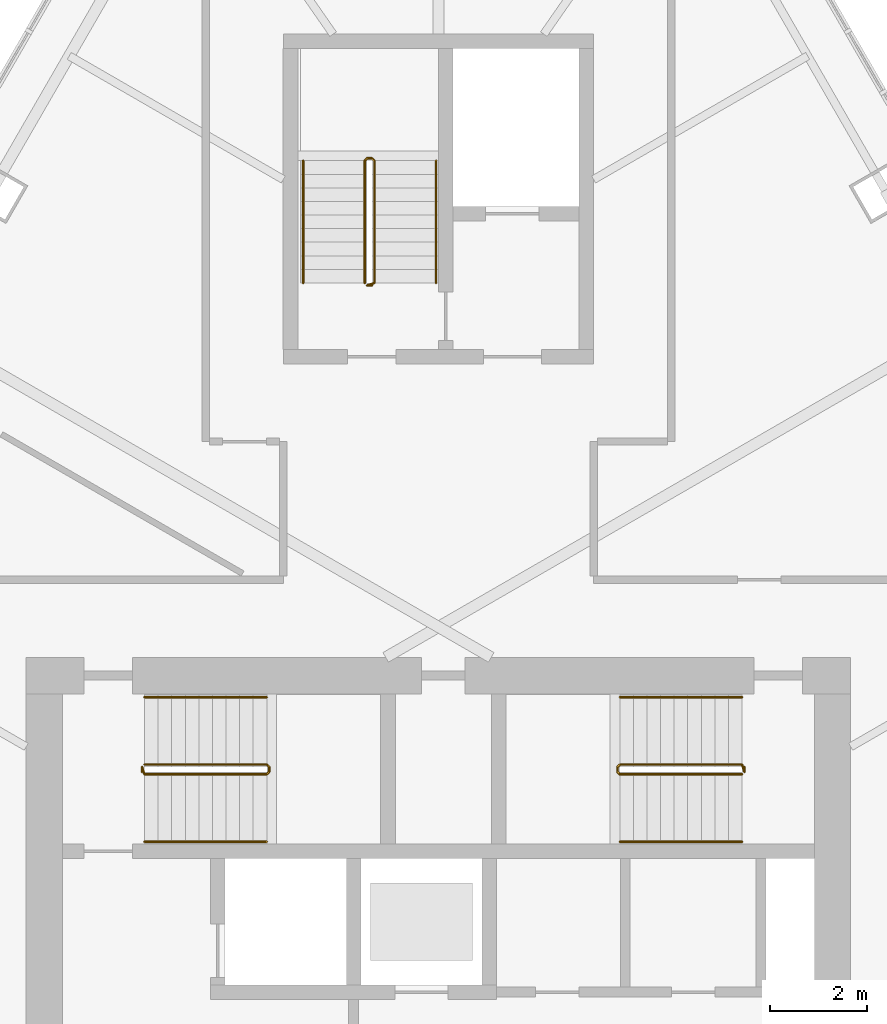
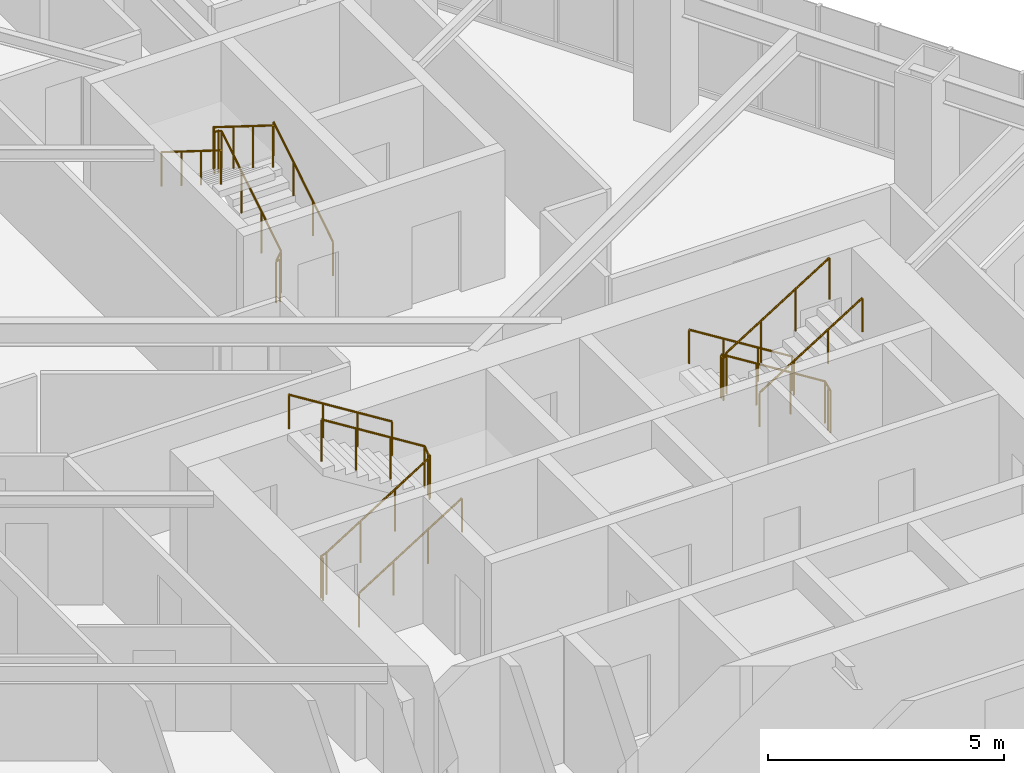
# One storey, part 20 of 21: 9 railings.
"""IFC4 building model written with IfcOpenShell, lengths in metres."""

import ifcopenshell
import ifcopenshell.guid

model = None  # the IFC model being written
_history = None  # IfcOwnerHistory: only IFC2X3 demands one
_inside = {}  # id of a spatial element -> (the spatial element, [elements in it])
_under = {}  # id of a project, library or spatial element -> (it, [spatial elements below it])
_declared = {}  # id of a project -> (the project, [libraries it declares])
_typed = {}  # id of a type object -> (the type object, [elements of that type])
_made_of = {}  # id of a material, layer set ... -> (it, [elements and type objects made of it])


def new_model(schema):
    """Start an empty IFC model of exactly this schema.

    Asked for "IFC4X3", IfcOpenShell would pick the latest addendum, in which some entities
    have other attributes; the version numbers below select the first issue.
    IFC2X3 requires an IfcOwnerHistory on every rooted entity: one is made here for all.
    """
    global model, _history
    if schema == "IFC4X3":
        model = ifcopenshell.file(schema_version=(4, 3, 0, 0))
    else:
        model = ifcopenshell.file(schema=schema)
    _inside.clear()
    _under.clear()
    _declared.clear()
    _typed.clear()
    _made_of.clear()
    _history = None
    if model.schema == "IFC2X3":
        org = make("IfcOrganization", Name="unknown")
        user = make(
            "IfcPersonAndOrganization",
            ThePerson=make("IfcPerson", FamilyName="unknown"),
            TheOrganization=org,
        )
        app = make(
            "IfcApplication",
            ApplicationDeveloper=org,
            Version="unknown",
            ApplicationFullName="unknown",
            ApplicationIdentifier="unknown",
        )
        _history = make(
            "IfcOwnerHistory",
            OwningUser=user,
            OwningApplication=app,
            ChangeAction="ADDED",
            CreationDate=0,
        )
    return model


def make(cls, **values):
    """One entity of the class cls with the attributes given. An attribute that is None is left unset."""
    return model.create_entity(
        cls, **{name: value for name, value in values.items() if value is not None}
    )


def rooted(cls, **values):
    """An entity with a GlobalId (a new one), such as an element, a storey or a relation."""
    return make(cls, GlobalId=ifcopenshell.guid.new(), OwnerHistory=_history, **values)


def si_unit(unit_type, name, prefix=None):
    """IfcSIUnit, for example si_unit("LENGTHUNIT", "METRE", prefix="MILLI")."""
    return make("IfcSIUnit", UnitType=unit_type, Prefix=prefix, Name=name)


def assignment(units):
    """IfcUnitAssignment: the units of a project."""
    return None if units is None else make("IfcUnitAssignment", Units=units)


def point(xyz):
    """IfcCartesianPoint."""
    return None if xyz is None else make("IfcCartesianPoint", Coordinates=xyz)


def direction(xyz):
    """IfcDirection."""
    return None if xyz is None else make("IfcDirection", DirectionRatios=xyz)


def frame(location, z_axis=None, x_axis=None):
    """IfcAxis2Placement3D, a coordinate frame: its origin and axes. An axis left out is left unset."""
    return make(
        "IfcAxis2Placement3D",
        Location=point(location),
        Axis=direction(z_axis),
        RefDirection=direction(x_axis),
    )


def frame_2d(location, x_axis=None):
    """IfcAxis2Placement2D, a coordinate frame in the plane: its origin and x axis."""
    return make(
        "IfcAxis2Placement2D", Location=point(location), RefDirection=direction(x_axis)
    )


def origin():
    """The frame at (0, 0, 0) with its axes left unset."""
    return frame((0.0, 0.0, 0.0))


def origin_2d():
    """The frame at (0, 0) in the plane with its x axis left unset."""
    return frame_2d((0.0, 0.0))


def place(relative_to, where):
    """IfcLocalPlacement: puts the frame where relative to a parent placement (None: the world)."""
    return make(
        "IfcLocalPlacement", PlacementRelTo=relative_to, RelativePlacement=where
    )


def context(
    kind, dimensions, precision=None, world=None, true_north=None, identifier=None
):
    """IfcGeometricRepresentationContext, for example the 3D "Model" context."""
    return make(
        "IfcGeometricRepresentationContext",
        ContextIdentifier=identifier,
        ContextType=kind,
        CoordinateSpaceDimension=dimensions,
        Precision=precision,
        WorldCoordinateSystem=world,
        TrueNorth=true_north,
    )


def subcontext(parent, identifier, kind, view, scale=None):
    """IfcGeometricRepresentationSubContext, for example "Body" below "Model"."""
    return make(
        "IfcGeometricRepresentationSubContext",
        ContextIdentifier=identifier,
        ContextType=kind,
        ParentContext=parent,
        TargetScale=scale,
        TargetView=view,
    )


def project(units=None, contexts=None):
    """IfcProject with its units and contexts."""
    return rooted(
        "IfcProject",
        Name="project",
        RepresentationContexts=contexts,
        UnitsInContext=assignment(units),
    )


def spatial(cls, under=None, at=None, **own):
    """A site, building, storey or space (cls), placed at a placement, below another one or the project."""
    s = rooted(cls, ObjectPlacement=at, **own)
    if under is not None:
        _under.setdefault(under.id(), (under, []))[1].append(s)
    return s


def profile(cls, at=None, kind="AREA", **sizes):
    """A parametric profile (cls). Its sizes go by their IFC names, for example OverallWidth=200.0."""
    return make(cls, ProfileType=kind, Position=at, **sizes)


def circle(**sizes):
    """IfcCircleProfileDef."""
    return profile("IfcCircleProfileDef", **sizes)


def extrude(swept, where, along, depth):
    """IfcExtrudedAreaSolid: the profile swept, set in the frame where, extruded along a direction by depth."""
    return make(
        "IfcExtrudedAreaSolid",
        SweptArea=swept,
        Position=where,
        ExtrudedDirection=direction(along),
        Depth=depth,
    )


def shape(context_of_items, identifier, shape_type, items):
    """IfcShapeRepresentation: the items that make up one representation, for example the "Body"."""
    return make(
        "IfcShapeRepresentation",
        ContextOfItems=context_of_items,
        RepresentationIdentifier=identifier,
        RepresentationType=shape_type,
        Items=items,
    )


def material(Name=None, Category=None):
    """IfcMaterial."""
    return make("IfcMaterial", Name=Name, Category=Category)


def made_of(thing, what):
    """Note that an element or type object is made of a material, layer set ...; save() writes the relation."""
    if what is not None:
        _made_of.setdefault(what.id(), (what, []))[1].append(thing)
    return thing


def type_object(cls, material=None, **own):
    """A type object (cls), such as IfcWallType, which elements share."""
    return made_of(rooted(cls, **own), material)


def element(
    cls,
    number,
    at=None,
    inside=None,
    cuts=None,
    type_object=None,
    material=None,
    context=None,
    identifier="Body",
    shape_type=None,
    held_by="IfcProductDefinitionShape",
    body=None,
    shapes=None,
    **own,
):
    """One element of the class cls, such as IfcWall. Its Tag is "e" and its number.

    at: its placement. inside: the storey or other place that contains it. cuts: it is an
    opening in that element (IfcRelVoidsElement). A single representation is given by context,
    identifier, shape_type and body (its items); several are given by shapes. held_by: the class
    of the entity that holds the representations. save() writes the other relations.
    """
    e = rooted(cls, Tag="e%d" % number, ObjectPlacement=at, **own)
    if body is not None:
        shapes = [shape(context, identifier, shape_type, body)]
    if shapes is not None:
        e.Representation = make(held_by, Representations=shapes)
    if inside is not None:
        _inside.setdefault(inside.id(), (inside, []))[1].append(e)
    if cuts is not None:
        rooted(
            "IfcRelVoidsElement", RelatingBuildingElement=cuts, RelatedOpeningElement=e
        )
    if type_object is not None:
        _typed.setdefault(type_object.id(), (type_object, []))[1].append(e)
    return made_of(e, material)


def aggregate(whole, parts):
    """IfcRelAggregates: a whole, such as a stair, and the parts it consists of."""
    return rooted("IfcRelAggregates", RelatingObject=whole, RelatedObjects=parts)


def save(model, path):
    """Write the relations noted so far, then the file.

    IfcRelAggregates (storeys below a building ...), IfcRelContainedInSpatialStructure (elements
    in a storey), IfcRelDefinesByType, IfcRelAssociatesMaterial and IfcRelDeclares: one each for
    every whole, place, type object, material and project.
    """
    for whole, parts in _under.values():
        aggregate(whole, parts)
    for where, things in _inside.values():
        rooted(
            "IfcRelContainedInSpatialStructure",
            RelatedElements=things,
            RelatingStructure=where,
        )
    for kind, things in _typed.values():
        rooted("IfcRelDefinesByType", RelatedObjects=things, RelatingType=kind)
    for what, things in _made_of.values():
        rooted("IfcRelAssociatesMaterial", RelatedObjects=things, RelatingMaterial=what)
    for by, libraries in _declared.values():
        rooted("IfcRelDeclares", RelatingContext=by, RelatedDefinitions=libraries)
    model.write(path)


model = new_model("IFC4")

# Units and contexts
model_context = context("Model", 3, precision=1e-05, world=origin(), true_north=direction((0.0, 1.0)))
body_context = subcontext(model_context, "Body", "Model", "MODEL_VIEW")
ifc_project = project(units=[si_unit("LENGTHUNIT", "METRE"), si_unit("AREAUNIT", "SQUARE_METRE"), si_unit("VOLUMEUNIT", "CUBIC_METRE"), si_unit("PLANEANGLEUNIT", "RADIAN"), si_unit("MASSUNIT", "GRAM", prefix="KILO")], contexts=[model_context])

# Site, building, storey
site_placement = place(None, origin())
site = spatial("IfcSite", under=ifc_project, at=site_placement, CompositionType="ELEMENT")
building_placement = place(site_placement, origin())
building = spatial("IfcBuilding", under=site, at=building_placement, Name="Firuza Gate Tower and Library", CompositionType="ELEMENT")
storey_placement = place(building_placement, frame((0.0, 0.0, 284.60009765625)))
storey = spatial("IfcBuildingStorey", under=building, at=storey_placement, Name="L68", CompositionType="ELEMENT", Elevation=284.60009765625)

# Railings
ifc_material_1 = material(Name="Steel S355", Category="steel")
railing_type_1 = type_object("IfcRailingType", Name="Stair guard 1100", PredefinedType="GUARDRAIL", material=ifc_material_1)
railing_1_placement = place(storey_placement, frame((68.889892578125, 79.389892578125, 0.0)))
element("IfcRailing", 1, at=railing_1_placement, inside=storey, type_object=railing_type_1, Name="L68 ST1 stair guard 1", PredefinedType="GUARDRAIL", context=body_context, shape_type="SweptSolid", body=[
    extrude(circle(Radius=0.02392578125, at=origin_2d()), frame((0.0, 0.0, 1.076171875), z_axis=(0.0, 1.0, 0.0), x_axis=(-1.0, 0.0, 0.0)), (0.0, 0.0, 1.0), 0.10009765625),
    extrude(circle(Radius=0.02392578125, at=origin_2d()), frame((0.0, 0.10009765625, 1.076171875), z_axis=(0.212383695785, -0.636115069328, 0.741788908207), x_axis=(0.948528701346, 0.316691178788, 0.0)), (0.0, 0.0, 1.0), 0.235595703125),
    extrude(circle(Radius=0.02392578125, at=origin_2d()), frame((0.050048828125, -0.0498046875, 1.2509765625), z_axis=(0.847970611238, 0.0, 0.530043245855), x_axis=(0.0, 1.0, 0.0)), (0.0, 0.0, 1.0), 2.971923828125),
    extrude(circle(Radius=0.02392578125, at=origin_2d()), frame((2.570068359375, -0.0498046875, 2.826171875), z_axis=(0.708833529934, 0.705375805398, 0.0), x_axis=(-0.705375805398, 0.708833529934, 0.0)), (0.0, 0.0, 1.0), 0.070556640625),
    extrude(circle(Radius=0.02392578125, at=origin_2d()), frame((2.6201171875, 0.0, 2.826171875), z_axis=(0.0, 1.0, 0.0), x_axis=(-1.0, 0.0, 0.0)), (0.0, 0.0, 1.0), 0.10009765625),
    extrude(circle(Radius=0.02392578125, at=origin_2d()), frame((2.6201171875, 0.10009765625, 2.826171875), z_axis=(-0.265383341853, 0.265383341853, 0.926899867156), x_axis=(-0.707106781187, -0.707106781187, 0.0)), (0.0, 0.0, 1.0), 0.1884765625),
    extrude(circle(Radius=0.02392578125, at=origin_2d()), frame((2.570068359375, 0.150146484375, 3.0009765625), z_axis=(-0.847970611238, 0.0, 0.530043245855), x_axis=(0.0, -1.0, 0.0)), (0.0, 0.0, 1.0), 2.971923828125),
    extrude(circle(Radius=0.02099609375, at=origin_2d()), origin(), (0.0, 0.0, 1.0), 1.052001953125),
    extrude(circle(Radius=0.02099609375, at=origin_2d()), frame((0.0, 0.10009765625, 0.0)), (0.0, 0.0, 1.0), 1.052001953125),
    extrude(circle(Radius=0.02099609375, at=origin_2d()), frame((0.050048828125, -0.0498046875, 0.1748046875)), (0.0, 0.0, 1.0), 1.052001953125),
    extrude(circle(Radius=0.02099609375, at=origin_2d()), frame((0.89013671875, -0.0498046875, 0.699951171875)), (0.0, 0.0, 1.0), 1.052001953125),
    extrude(circle(Radius=0.02099609375, at=origin_2d()), frame((1.72998046875, -0.0498046875, 1.224853515625)), (0.0, 0.0, 1.0), 1.052001953125),
    extrude(circle(Radius=0.02099609375, at=origin_2d()), frame((2.570068359375, -0.0498046875, 1.75)), (0.0, 0.0, 1.0), 1.052001953125),
    extrude(circle(Radius=0.02099609375, at=origin_2d()), frame((2.6201171875, 0.0, 1.75)), (0.0, 0.0, 1.0), 1.052001953125),
    extrude(circle(Radius=0.02099609375, at=origin_2d()), frame((2.6201171875, 0.10009765625, 1.75)), (0.0, 0.0, 1.0), 1.052001953125),
    extrude(circle(Radius=0.02099609375, at=origin_2d()), frame((2.570068359375, 0.150146484375, 1.9248046875)), (0.0, 0.0, 1.0), 1.052001953125),
    extrude(circle(Radius=0.02099609375, at=origin_2d()), frame((1.72998046875, 0.150146484375, 2.449951171875)), (0.0, 0.0, 1.0), 1.052001953125),
    extrude(circle(Radius=0.02099609375, at=origin_2d()), frame((0.89013671875, 0.150146484375, 2.974853515625)), (0.0, 0.0, 1.0), 1.052001953125),
    extrude(circle(Radius=0.02099609375, at=origin_2d()), frame((0.050048828125, 0.150146484375, 3.5)), (0.0, 0.0, 1.0), 1.052001953125),
])
railing_2_placement = place(storey_placement, frame((81.31005859375, 79.489990234375, 0.0)))
element("IfcRailing", 2, at=railing_2_placement, inside=storey, type_object=railing_type_1, Name="L68 ST2 stair guard 1", PredefinedType="GUARDRAIL", context=body_context, shape_type="SweptSolid", body=[
    extrude(circle(Radius=0.02392578125, at=origin_2d()), frame((0.0, 0.0, 1.076171875), z_axis=(0.0, -1.0, 0.0), x_axis=(1.0, 0.0, 0.0)), (0.0, 0.0, 1.0), 0.10009765625),
    extrude(circle(Radius=0.02392578125, at=origin_2d()), frame((0.0, -0.10009765625, 1.076171875), z_axis=(-0.21224375372, 0.63673126116, 0.741300134944), x_axis=(-0.948683298051, -0.316227766017, 0.0)), (0.0, 0.0, 1.0), 0.23583984375),
    extrude(circle(Radius=0.02392578125, at=origin_2d()), frame((-0.050048828125, 0.050048828125, 1.2509765625), z_axis=(-0.847970611238, 0.0, 0.530043245855), x_axis=(0.0, -1.0, 0.0)), (0.0, 0.0, 1.0), 2.971923828125),
    extrude(circle(Radius=0.02392578125, at=origin_2d()), frame((-2.570068359375, 0.050048828125, 2.826171875), z_axis=(-0.707106781187, -0.707106781187, 0.0), x_axis=(0.707106781187, -0.707106781187, 0.0)), (0.0, 0.0, 1.0), 0.07080078125),
    extrude(circle(Radius=0.02392578125, at=origin_2d()), frame((-2.6201171875, 0.0, 2.826171875), z_axis=(0.0, -1.0, 0.0), x_axis=(1.0, 0.0, 0.0)), (0.0, 0.0, 1.0), 0.10009765625),
    extrude(circle(Radius=0.02392578125, at=origin_2d()), frame((-2.6201171875, -0.10009765625, 2.826171875), z_axis=(0.265474339444, -0.264179342666, 0.927217692888), x_axis=(0.705375805398, 0.708833529934, 0.0)), (0.0, 0.0, 1.0), 0.1884765625),
    extrude(circle(Radius=0.02392578125, at=origin_2d()), frame((-2.570068359375, -0.14990234375, 3.0009765625), z_axis=(0.847970611238, 0.0, 0.530043245855), x_axis=(0.0, 1.0, 0.0)), (0.0, 0.0, 1.0), 2.971923828125),
    extrude(circle(Radius=0.02099609375, at=origin_2d()), origin(), (0.0, 0.0, 1.0), 1.052001953125),
    extrude(circle(Radius=0.02099609375, at=origin_2d()), frame((0.0, -0.10009765625, 0.0)), (0.0, 0.0, 1.0), 1.052001953125),
    extrude(circle(Radius=0.02099609375, at=origin_2d()), frame((-0.050048828125, 0.050048828125, 0.1748046875)), (0.0, 0.0, 1.0), 1.052001953125),
    extrude(circle(Radius=0.02099609375, at=origin_2d()), frame((-0.89013671875, 0.050048828125, 0.699951171875)), (0.0, 0.0, 1.0), 1.052001953125),
    extrude(circle(Radius=0.02099609375, at=origin_2d()), frame((-1.72998046875, 0.050048828125, 1.224853515625)), (0.0, 0.0, 1.0), 1.052001953125),
    extrude(circle(Radius=0.02099609375, at=origin_2d()), frame((-2.570068359375, 0.050048828125, 1.75)), (0.0, 0.0, 1.0), 1.052001953125),
    extrude(circle(Radius=0.02099609375, at=origin_2d()), frame((-2.6201171875, 0.0, 1.75)), (0.0, 0.0, 1.0), 1.052001953125),
    extrude(circle(Radius=0.02099609375, at=origin_2d()), frame((-2.6201171875, -0.10009765625, 1.75)), (0.0, 0.0, 1.0), 1.052001953125),
    extrude(circle(Radius=0.02099609375, at=origin_2d()), frame((-2.570068359375, -0.14990234375, 1.9248046875)), (0.0, 0.0, 1.0), 1.052001953125),
    extrude(circle(Radius=0.02099609375, at=origin_2d()), frame((-1.72998046875, -0.14990234375, 2.449951171875)), (0.0, 0.0, 1.0), 1.052001953125),
    extrude(circle(Radius=0.02099609375, at=origin_2d()), frame((-0.89013671875, -0.14990234375, 2.974853515625)), (0.0, 0.0, 1.0), 1.052001953125),
    extrude(circle(Radius=0.02099609375, at=origin_2d()), frame((-0.050048828125, -0.14990234375, 3.5)), (0.0, 0.0, 1.0), 1.052001953125),
])
railing_3_placement = place(storey_placement, frame((73.6298828125, 89.419921875, 0.0)))
element("IfcRailing", 3, at=railing_3_placement, inside=storey, type_object=railing_type_1, Name="L68 ST3 stair guard 1", PredefinedType="GUARDRAIL", context=body_context, shape_type="SweptSolid", body=[
    extrude(circle(Radius=0.02392578125, at=origin_2d()), frame((0.0, 0.0, 1.076171875), z_axis=(-1.0, 0.0, 0.0), x_axis=(0.0, -1.0, 0.0)), (0.0, 0.0, 1.0), 0.099853515625),
    extrude(circle(Radius=0.02392578125, at=origin_2d()), frame((-0.099853515625, 0.0, 1.076171875), z_axis=(0.636115069328, 0.212383695785, 0.741788908207), x_axis=(-0.316691178788, 0.948528701346, 0.0)), (0.0, 0.0, 1.0), 0.235595703125),
    extrude(circle(Radius=0.02392578125, at=origin_2d()), frame((0.050048828125, 0.050048828125, 1.2509765625), z_axis=(0.0, 0.847970611238, 0.530043245855), x_axis=(-1.0, 0.0, 0.0)), (0.0, 0.0, 1.0), 2.971923828125),
    extrude(circle(Radius=0.02392578125, at=origin_2d()), frame((0.050048828125, 2.570068359375, 2.826171875), z_axis=(-0.707106781187, 0.707106781187, 0.0), x_axis=(-0.707106781187, -0.707106781187, 0.0)), (0.0, 0.0, 1.0), 0.07080078125),
    extrude(circle(Radius=0.02392578125, at=origin_2d()), frame((0.0, 2.6201171875, 2.826171875), z_axis=(-1.0, 0.0, 0.0), x_axis=(0.0, -1.0, 0.0)), (0.0, 0.0, 1.0), 0.099853515625),
    extrude(circle(Radius=0.02392578125, at=origin_2d()), frame((-0.099853515625, 2.6201171875, 2.826171875), z_axis=(-0.265383341853, -0.265383341853, 0.926899867156), x_axis=(0.707106781187, -0.707106781187, 0.0)), (0.0, 0.0, 1.0), 0.1884765625),
    extrude(circle(Radius=0.02392578125, at=origin_2d()), frame((-0.14990234375, 2.570068359375, 3.0009765625), z_axis=(0.0, -0.847970611238, 0.530043245855), x_axis=(1.0, 0.0, 0.0)), (0.0, 0.0, 1.0), 2.971923828125),
    extrude(circle(Radius=0.02099609375, at=origin_2d()), origin(), (0.0, 0.0, 1.0), 1.052001953125),
    extrude(circle(Radius=0.02099609375, at=origin_2d()), frame((-0.099853515625, 0.0, 0.0)), (0.0, 0.0, 1.0), 1.052001953125),
    extrude(circle(Radius=0.02099609375, at=origin_2d()), frame((0.050048828125, 0.050048828125, 0.1748046875)), (0.0, 0.0, 1.0), 1.052001953125),
    extrude(circle(Radius=0.02099609375, at=origin_2d()), frame((0.050048828125, 0.89013671875, 0.699951171875)), (0.0, 0.0, 1.0), 1.052001953125),
    extrude(circle(Radius=0.02099609375, at=origin_2d()), frame((0.050048828125, 1.72998046875, 1.224853515625)), (0.0, 0.0, 1.0), 1.052001953125),
    extrude(circle(Radius=0.02099609375, at=origin_2d()), frame((0.050048828125, 2.570068359375, 1.75)), (0.0, 0.0, 1.0), 1.052001953125),
    extrude(circle(Radius=0.02099609375, at=origin_2d()), frame((0.0, 2.6201171875, 1.75)), (0.0, 0.0, 1.0), 1.052001953125),
    extrude(circle(Radius=0.02099609375, at=origin_2d()), frame((-0.099853515625, 2.6201171875, 1.75)), (0.0, 0.0, 1.0), 1.052001953125),
    extrude(circle(Radius=0.02099609375, at=origin_2d()), frame((-0.14990234375, 2.570068359375, 1.9248046875)), (0.0, 0.0, 1.0), 1.052001953125),
    extrude(circle(Radius=0.02099609375, at=origin_2d()), frame((-0.14990234375, 1.72998046875, 2.449951171875)), (0.0, 0.0, 1.0), 1.052001953125),
    extrude(circle(Radius=0.02099609375, at=origin_2d()), frame((-0.14990234375, 0.89013671875, 2.974853515625)), (0.0, 0.0, 1.0), 1.052001953125),
    extrude(circle(Radius=0.02099609375, at=origin_2d()), frame((-0.14990234375, 0.050048828125, 3.5)), (0.0, 0.0, 1.0), 1.052001953125),
])
ifc_material_2 = material(Name="Steel S355", Category="steel")
railing_type_2 = type_object("IfcRailingType", Name="Stair handrail 900", PredefinedType="HANDRAIL", material=ifc_material_2)
railing_4_placement = place(storey_placement, frame((68.93994140625, 77.949951171875, 0.1748046875)))
element("IfcRailing", 4, at=railing_4_placement, inside=storey, type_object=railing_type_2, Name="L68 ST1 stair handrail 1", PredefinedType="HANDRAIL", context=body_context, shape_type="SweptSolid", body=[
    extrude(circle(Radius=0.02392578125, at=origin_2d()), frame((0.0, 0.0, 0.8759765625), z_axis=(0.847970611238, 0.0, 0.530043245855), x_axis=(0.0, 1.0, 0.0)), (0.0, 0.0, 1.0), 2.971923828125),
    extrude(circle(Radius=0.02099609375, at=origin_2d()), origin(), (0.0, 0.0, 1.0), 0.851806640625),
    extrude(circle(Radius=0.02099609375, at=origin_2d()), frame((0.840087890625, 0.0, 0.525146484375)), (0.0, 0.0, 1.0), 0.851806640625),
    extrude(circle(Radius=0.02099609375, at=origin_2d()), frame((1.679931640625, 0.0, 1.050048828125)), (0.0, 0.0, 1.0), 0.851806640625),
    extrude(circle(Radius=0.02099609375, at=origin_2d()), frame((2.52001953125, 0.0, 1.5751953125)), (0.0, 0.0, 1.0), 0.851806640625),
])
for number, where, name in (
    (5, (71.4599609375, 80.929931640625, 1.9248046875), "L68 ST1 stair handrail 2"),
    (6, (81.260009765625, 80.929931640625, 0.1748046875), "L68 ST2 stair handrail 1"),
):
    element("IfcRailing", number, at=place(storey_placement, frame(where)), inside=storey, type_object=railing_type_2, Name=name, PredefinedType="HANDRAIL", context=body_context, shape_type="SweptSolid", body=[
        extrude(circle(Radius=0.02392578125, at=origin_2d()), frame((0.0, 0.0, 0.8759765625), z_axis=(-0.847970611238, 0.0, 0.530043245855), x_axis=(0.0, -1.0, 0.0)), (0.0, 0.0, 1.0), 2.971923828125),
        extrude(circle(Radius=0.02099609375, at=origin_2d()), origin(), (0.0, 0.0, 1.0), 0.851806640625),
        extrude(circle(Radius=0.02099609375, at=origin_2d()), frame((-0.840087890625, 0.0, 0.525146484375)), (0.0, 0.0, 1.0), 0.851806640625),
        extrude(circle(Radius=0.02099609375, at=origin_2d()), frame((-1.679931640625, 0.0, 1.050048828125)), (0.0, 0.0, 1.0), 0.851806640625),
        extrude(circle(Radius=0.02099609375, at=origin_2d()), frame((-2.52001953125, 0.0, 1.5751953125)), (0.0, 0.0, 1.0), 0.851806640625),
    ])
railing_5_placement = place(storey_placement, frame((78.739990234375, 77.949951171875, 1.9248046875)))
element("IfcRailing", 7, at=railing_5_placement, inside=storey, type_object=railing_type_2, Name="L68 ST2 stair handrail 2", PredefinedType="HANDRAIL", context=body_context, shape_type="SweptSolid", body=[
    extrude(circle(Radius=0.02392578125, at=origin_2d()), frame((0.0, 0.0, 0.8759765625), z_axis=(0.847970611238, 0.0, 0.530043245855), x_axis=(0.0, 1.0, 0.0)), (0.0, 0.0, 1.0), 2.971923828125),
    extrude(circle(Radius=0.02099609375, at=origin_2d()), origin(), (0.0, 0.0, 1.0), 0.851806640625),
    extrude(circle(Radius=0.02099609375, at=origin_2d()), frame((0.840087890625, 0.0, 0.525146484375)), (0.0, 0.0, 1.0), 0.851806640625),
    extrude(circle(Radius=0.02099609375, at=origin_2d()), frame((1.679931640625, 0.0, 1.050048828125)), (0.0, 0.0, 1.0), 0.851806640625),
    extrude(circle(Radius=0.02099609375, at=origin_2d()), frame((2.52001953125, 0.0, 1.5751953125)), (0.0, 0.0, 1.0), 0.851806640625),
])
railing_6_placement = place(storey_placement, frame((74.949951171875, 89.469970703125, 0.1748046875)))
element("IfcRailing", 8, at=railing_6_placement, inside=storey, type_object=railing_type_2, Name="L68 ST3 stair handrail 1", PredefinedType="HANDRAIL", context=body_context, shape_type="SweptSolid", body=[
    extrude(circle(Radius=0.02392578125, at=origin_2d()), frame((0.0, 0.0, 0.8759765625), z_axis=(0.0, 0.847970611238, 0.530043245855), x_axis=(-1.0, 0.0, 0.0)), (0.0, 0.0, 1.0), 2.971923828125),
    extrude(circle(Radius=0.02099609375, at=origin_2d()), origin(), (0.0, 0.0, 1.0), 0.851806640625),
    extrude(circle(Radius=0.02099609375, at=origin_2d()), frame((0.0, 0.840087890625, 0.525146484375)), (0.0, 0.0, 1.0), 0.851806640625),
    extrude(circle(Radius=0.02099609375, at=origin_2d()), frame((0.0, 1.679931640625, 1.050048828125)), (0.0, 0.0, 1.0), 0.851806640625),
    extrude(circle(Radius=0.02099609375, at=origin_2d()), frame((0.0, 2.52001953125, 1.5751953125)), (0.0, 0.0, 1.0), 0.851806640625),
])
railing_7_placement = place(storey_placement, frame((72.2099609375, 91.989990234375, 1.9248046875)))
element("IfcRailing", 9, at=railing_7_placement, inside=storey, type_object=railing_type_2, Name="L68 ST3 stair handrail 2", PredefinedType="HANDRAIL", context=body_context, shape_type="SweptSolid", body=[
    extrude(circle(Radius=0.02392578125, at=origin_2d()), frame((0.0, 0.0, 0.8759765625), z_axis=(0.0, -0.847970611238, 0.530043245855), x_axis=(1.0, 0.0, 0.0)), (0.0, 0.0, 1.0), 2.971923828125),
    extrude(circle(Radius=0.02099609375, at=origin_2d()), origin(), (0.0, 0.0, 1.0), 0.851806640625),
    extrude(circle(Radius=0.02099609375, at=origin_2d()), frame((0.0, -0.840087890625, 0.525146484375)), (0.0, 0.0, 1.0), 0.851806640625),
    extrude(circle(Radius=0.02099609375, at=origin_2d()), frame((0.0, -1.679931640625, 1.050048828125)), (0.0, 0.0, 1.0), 0.851806640625),
    extrude(circle(Radius=0.02099609375, at=origin_2d()), frame((0.0, -2.52001953125, 1.5751953125)), (0.0, 0.0, 1.0), 0.851806640625),
])

save(model, "model.ifc")
